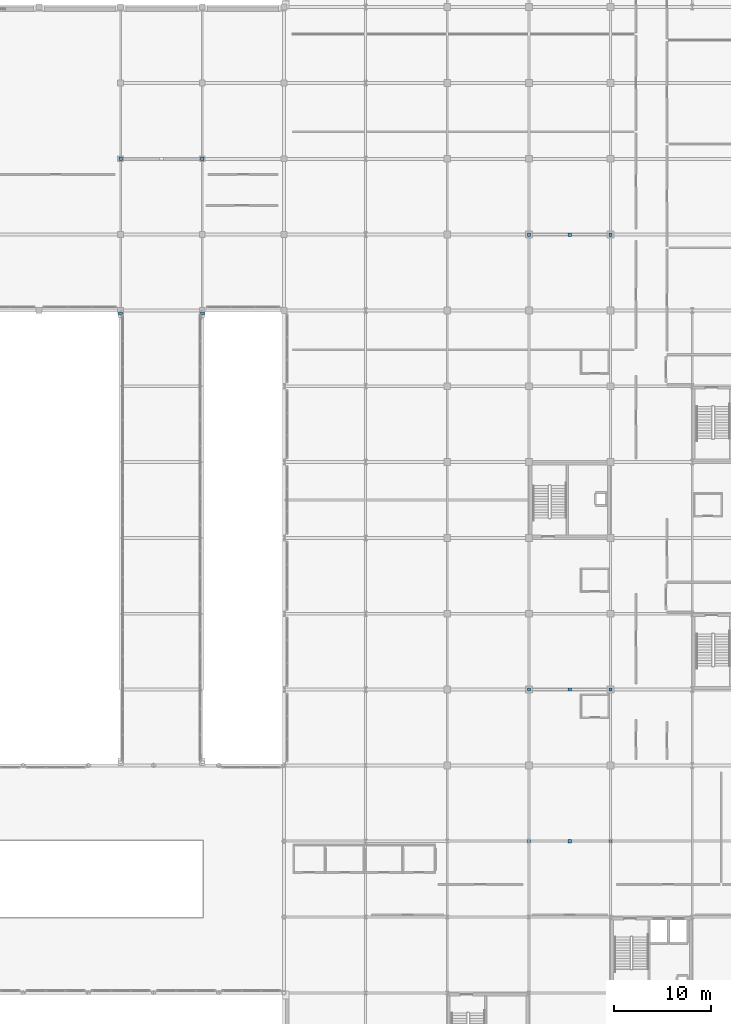
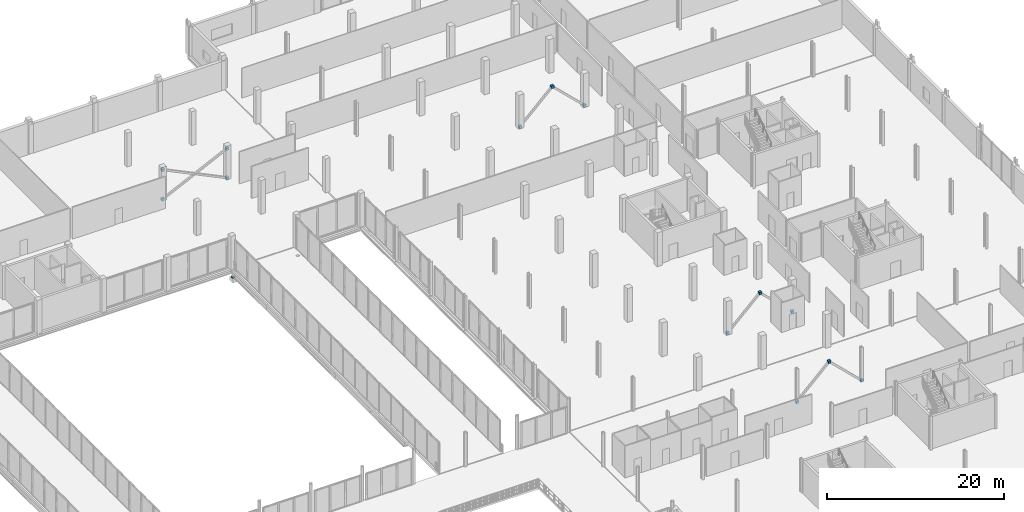
# One storey, part 83 of 98: 15 discrete accessories.
"""IFC4 building model written with IfcOpenShell, lengths in metres."""

from ifc_helpers import new_model, si_unit, direction, frame, origin, origin_2d, place, context, subcontext, project, spatial, rectangle, extrude, material, layer, layer_set, type_object, element, save


model = new_model("IFC4")

# Units and contexts
model_context = context("Model", 3, precision=1e-05, world=origin(), true_north=direction((0.0, 1.0)))
body_context = subcontext(model_context, "Body", "Model", "MODEL_VIEW")
ifc_project = project(units=[si_unit("LENGTHUNIT", "METRE"), si_unit("AREAUNIT", "SQUARE_METRE"), si_unit("VOLUMEUNIT", "CUBIC_METRE"), si_unit("PLANEANGLEUNIT", "RADIAN"), si_unit("MASSUNIT", "GRAM", prefix="KILO")], contexts=[model_context])

# Site, building, storey
site_placement = place(None, origin())
site = spatial("IfcSite", under=ifc_project, at=site_placement, CompositionType="ELEMENT")
building_placement = place(site_placement, origin())
building = spatial("IfcBuilding", under=site, at=building_placement, Name="Nabrawat Pavilion Hospital", CompositionType="ELEMENT")
storey_placement = place(building_placement, frame((0.0, 0.0, 10.199951171875)))
storey = spatial("IfcBuildingStorey", under=building, at=storey_placement, Name="L02", CompositionType="ELEMENT", Elevation=10.199951171875)

# Discrete accessories
ifc_material = material(Name="Steel S355", Category="steel")
ifc_layer_1 = layer(ifc_material, 0.02001953125, Name="Steel S355")
ifc_layer_set_1 = layer_set([ifc_layer_1], Name="Steel S355")
discrete_accessory_type_1 = type_object("IfcDiscreteAccessoryType", Name="Brace and Strut Gusset End Bracket 20", PredefinedType="BRACKET", material=ifc_layer_set_1)
for number, where, z_axis, x_axis, name in (
    (1, (109.199951171875, 101.39990234375, -0.1201171875), (0.0, 0.0, 1.0), (1.0, 0.0, 0.0), "L02 Brace and Strut Gusset End Connection 0029"),
    (2, (117.60009765625, 101.39990234375, 3.93017578125), (0.0, 0.0, 1.0), (1.0, 0.0, 0.0), "L02 Brace and Strut Gusset End Connection 0030"),
    (3, (109.199951171875, 101.39990234375, 3.93017578125), (0.0, 0.0, 1.0), (1.0, 0.0, 0.0), "L02 Brace and Strut Gusset End Connection 0031"),
    (4, (117.60009765625, 101.39990234375, -0.1201171875), (0.0, 0.0, 1.0), (1.0, 0.0, 0.0), "L02 Brace and Strut Gusset End Connection 0032"),
    (5, (155.39990234375, 31.199951171875, 3.93017578125), (0.0, 0.0, 1.0), (1.0, 0.0, 0.0), "L02 Brace and Strut Gusset End Connection 0057"),
    (6, (151.199951171875, 31.199951171875, -0.1201171875), (0.0, 0.0, 1.0), (1.0, 0.0, 0.0), "L02 Brace and Strut Gusset End Connection 0058"),
    (7, (159.60009765625, 31.199951171875, -0.1201171875), (0.0, 0.0, 1.0), (1.0, 0.0, 0.0), "L02 Brace and Strut Gusset End Connection 0059"),
    (8, (155.39990234375, 46.800048828125, 3.93017578125), (0.0, 0.0, 1.0), (1.0, 0.0, 0.0), "L02 Brace and Strut Gusset End Connection 0075"),
    (9, (151.199951171875, 46.800048828125, -0.1201171875), (0.0, 0.0, 1.0), (1.0, 0.0, 0.0), "L02 Brace and Strut Gusset End Connection 0076"),
    (10, (159.60009765625, 46.800048828125, -0.1201171875), (0.0, 0.0, 1.0), (1.0, 0.0, 0.0), "L02 Brace and Strut Gusset End Connection 0077"),
    (11, (155.39990234375, 93.60009765625, 3.93017578125), (0.0, 0.0, 1.0), (1.0, 0.0, 0.0), "L02 Brace and Strut Gusset End Connection 0102"),
    (12, (151.199951171875, 93.60009765625, -0.1201171875), (0.0, 0.0, 1.0), (1.0, 0.0, 0.0), "L02 Brace and Strut Gusset End Connection 0103"),
    (13, (159.60009765625, 93.60009765625, -0.1201171875), (0.0, 0.0, 1.0), (1.0, 0.0, 0.0), "L02 Brace and Strut Gusset End Connection 0104"),
):
    element("IfcDiscreteAccessory", number, at=place(storey_placement, frame(where, z_axis=z_axis, x_axis=x_axis)), inside=storey, type_object=discrete_accessory_type_1, Name=name, PredefinedType="BRACKET", context=body_context, shape_type="SweptSolid", body=[
        extrude(rectangle(XDim=0.340087890625, YDim=0.340087890625, at=origin_2d()), origin(), (0.0, 0.0, 1.0), 0.340087890625),
    ])
ifc_layer_2 = layer(ifc_material, 0.139892578125, Name="Steel S355")
ifc_layer_set_2 = layer_set([ifc_layer_2], Name="Steel S355")
discrete_accessory_type_2 = type_object("IfcDiscreteAccessoryType", Name="PTFE Elastomeric Bridge Sliding Bearing", PredefinedType="BRACKET", material=ifc_layer_set_2)
for number, where, z_axis, x_axis, name in (
    (14, (109.199951171875, 85.47998046875, -1.080078125), (0.0, 0.0, 1.0), (1.0, 0.0, 0.0), "L02 Courtyard Link Bridge PTFE Sliding Bearing N 14"),
    (15, (117.60009765625, 85.47998046875, -1.080078125), (0.0, 0.0, 1.0), (1.0, 0.0, 0.0), "L02 Courtyard Link Bridge PTFE Sliding Bearing N 16"),
):
    element("IfcDiscreteAccessory", number, at=place(storey_placement, frame(where, z_axis=z_axis, x_axis=x_axis)), inside=storey, type_object=discrete_accessory_type_2, Name=name, PredefinedType="BRACKET", context=body_context, shape_type="SweptSolid", body=[
        extrude(rectangle(XDim=0.39990234375, YDim=0.300048828125, at=origin_2d()), origin(), (0.0, 0.0, 1.0), 0.139892578125),
    ])

save(model, "model.ifc")
